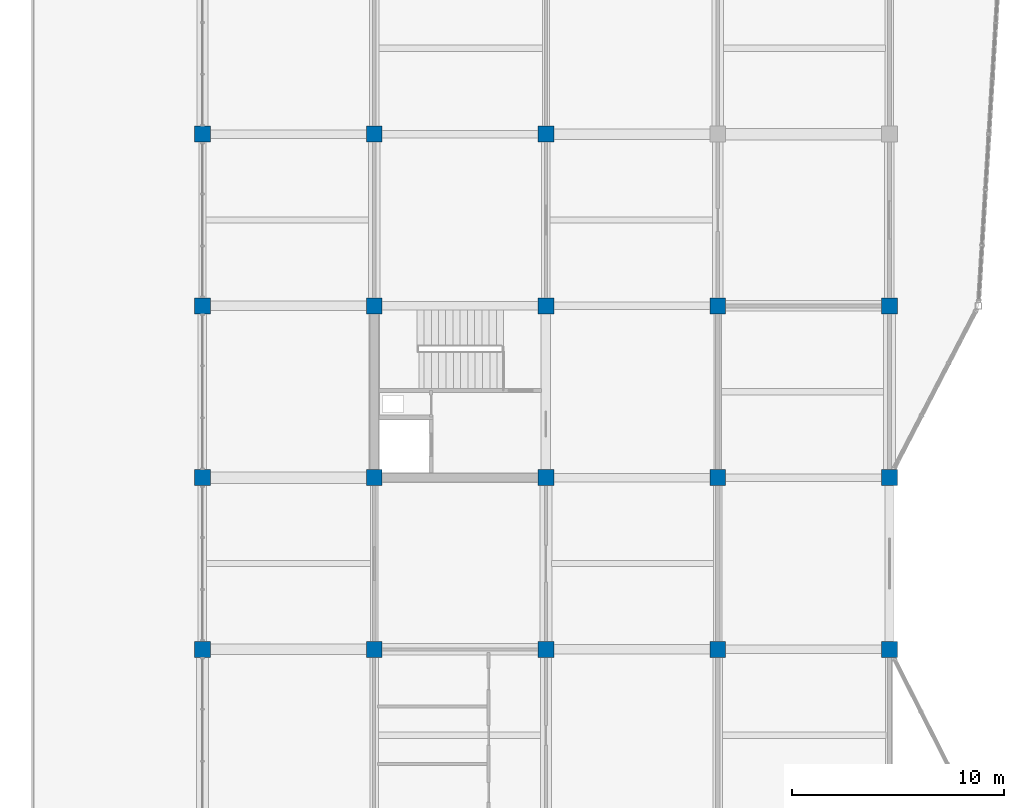
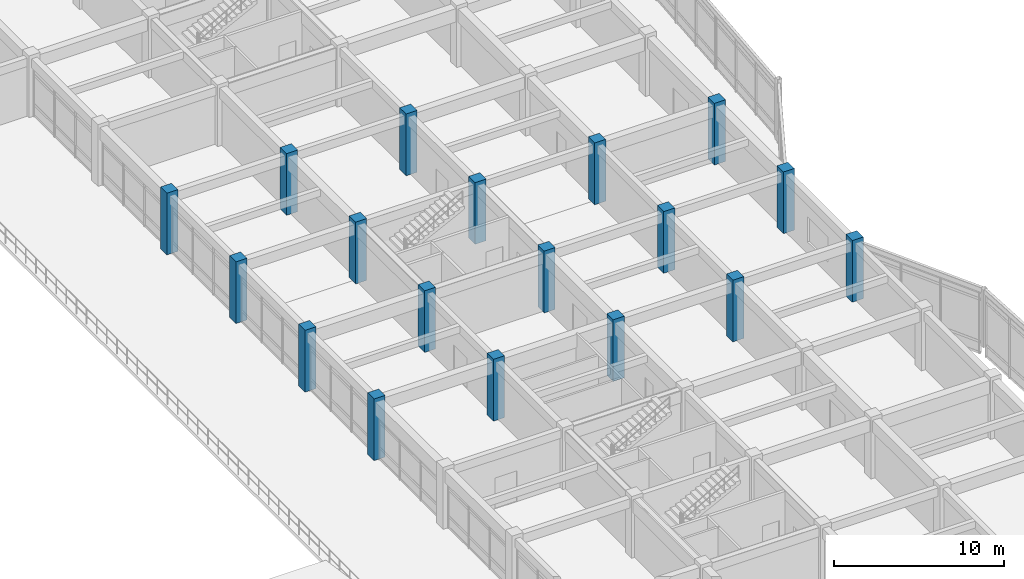
# One storey, part 6 of 70: 18 columns.
"""IFC4 building model written with IfcOpenShell, lengths in metres."""

from ifc_helpers import new_model, si_unit, direction, frame, origin, origin_2d, place, context, subcontext, project, spatial, rectangle, extrude, material, material_profile, profile_set, type_object, element, save


model = new_model("IFC4")

# Units and contexts
model_context = context("Model", 3, precision=1e-05, world=origin(), true_north=direction((0.0, 1.0)))
body_context = subcontext(model_context, "Body", "Model", "MODEL_VIEW")
ifc_project = project(units=[si_unit("LENGTHUNIT", "METRE"), si_unit("AREAUNIT", "SQUARE_METRE"), si_unit("VOLUMEUNIT", "CUBIC_METRE"), si_unit("PLANEANGLEUNIT", "RADIAN"), si_unit("MASSUNIT", "GRAM", prefix="KILO")], contexts=[model_context])

# Site, building, storey
site_placement = place(None, origin())
site = spatial("IfcSite", under=ifc_project, at=site_placement, CompositionType="ELEMENT")
building_placement = place(site_placement, origin())
building = spatial("IfcBuilding", under=site, at=building_placement, Name="Vaudrelin Polytechnic", CompositionType="ELEMENT")
storey_placement = place(building_placement, frame((0.0, 0.0, 14.110107421875)))
storey = spatial("IfcBuildingStorey", under=building, at=storey_placement, Name="L03", CompositionType="ELEMENT", Elevation=14.110107421875)

# Columns
ifc_material = material(Name="Concrete 50 MPa", Category="concrete")
ifc_material_profile = material_profile(ifc_material, rectangle(XDim=0.75, YDim=0.75, at=origin_2d()), Name="RC750x750")
ifc_profile_set = profile_set([ifc_material_profile], Name="Concrete 50 MPa")
column_type = type_object("IfcColumnType", Name="COL-C-RC750", PredefinedType="COLUMN", material=ifc_profile_set)
for number, where, z_axis, x_axis, name in (
    (1, (137.699951171875, 56.699951171875, 0.0), (0.0, 0.0, 1.0), (1.0, 0.0, 0.0), "Column L03 18-8"),
    (2, (137.699951171875, 64.800048828125, 0.0), (0.0, 0.0, 1.0), (1.0, 0.0, 0.0), "Column L03 18-9"),
    (3, (137.699951171875, 72.89990234375, 0.0), (0.0, 0.0, 1.0), (1.0, 0.0, 0.0), "Column L03 18-10"),
    (4, (137.699951171875, 81.0, 0.0), (0.0, 0.0, 1.0), (1.0, 0.0, 0.0), "Column L03 18-11"),
    (5, (145.800048828125, 56.699951171875, 0.0), (0.0, 0.0, 1.0), (1.0, 0.0, 0.0), "Column L03 19-8"),
    (6, (145.800048828125, 64.800048828125, 0.0), (0.0, 0.0, 1.0), (1.0, 0.0, 0.0), "Column L03 19-9"),
    (7, (145.800048828125, 72.89990234375, 0.0), (0.0, 0.0, 1.0), (1.0, 0.0, 0.0), "Column L03 19-10"),
    (8, (145.800048828125, 81.0, 0.0), (0.0, 0.0, 1.0), (1.0, 0.0, 0.0), "Column L03 19-11"),
    (9, (153.89990234375, 56.699951171875, 0.0), (0.0, 0.0, 1.0), (1.0, 0.0, 0.0), "Column L03 20-8"),
    (10, (153.89990234375, 64.800048828125, 0.0), (0.0, 0.0, 1.0), (1.0, 0.0, 0.0), "Column L03 20-9"),
    (11, (153.89990234375, 72.89990234375, 0.0), (0.0, 0.0, 1.0), (1.0, 0.0, 0.0), "Column L03 20-10"),
    (12, (153.89990234375, 81.0, 0.0), (0.0, 0.0, 1.0), (1.0, 0.0, 0.0), "Column L03 20-11"),
    (13, (162.0, 56.699951171875, 0.0), (0.0, 0.0, 1.0), (1.0, 0.0, 0.0), "Column L03 21-8"),
    (14, (162.0, 64.800048828125, 0.0), (0.0, 0.0, 1.0), (1.0, 0.0, 0.0), "Column L03 21-9"),
    (15, (162.0, 72.89990234375, 0.0), (0.0, 0.0, 1.0), (1.0, 0.0, 0.0), "Column L03 21-10"),
    (16, (170.10009765625, 56.699951171875, 0.0), (0.0, 0.0, 1.0), (1.0, 0.0, 0.0), "Column L03 22-8"),
    (17, (170.10009765625, 64.800048828125, 0.0), (0.0, 0.0, 1.0), (1.0, 0.0, 0.0), "Column L03 22-9"),
    (18, (170.10009765625, 72.89990234375, 0.0), (0.0, 0.0, 1.0), (1.0, 0.0, 0.0), "Column L03 22-10"),
):
    element("IfcColumn", number, at=place(storey_placement, frame(where, z_axis=z_axis, x_axis=x_axis)), inside=storey, type_object=column_type, Name=name, PredefinedType="COLUMN", context=body_context, shape_type="SweptSolid", body=[
        extrude(rectangle(XDim=0.75, YDim=0.75, at=origin_2d()), origin(), (0.0, 0.0, 1.0), 4.419921875),
    ])

save(model, "model.ifc")
